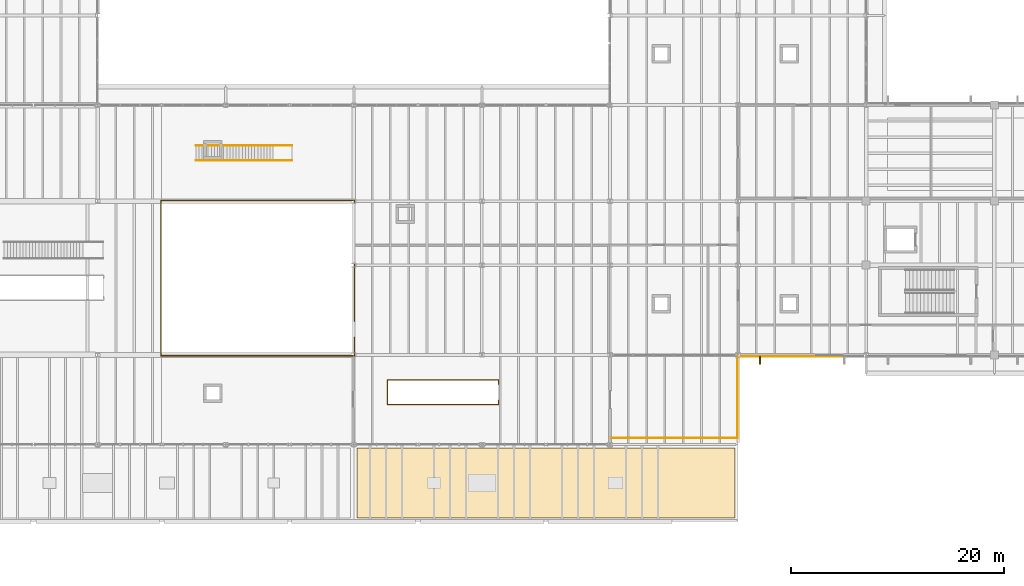
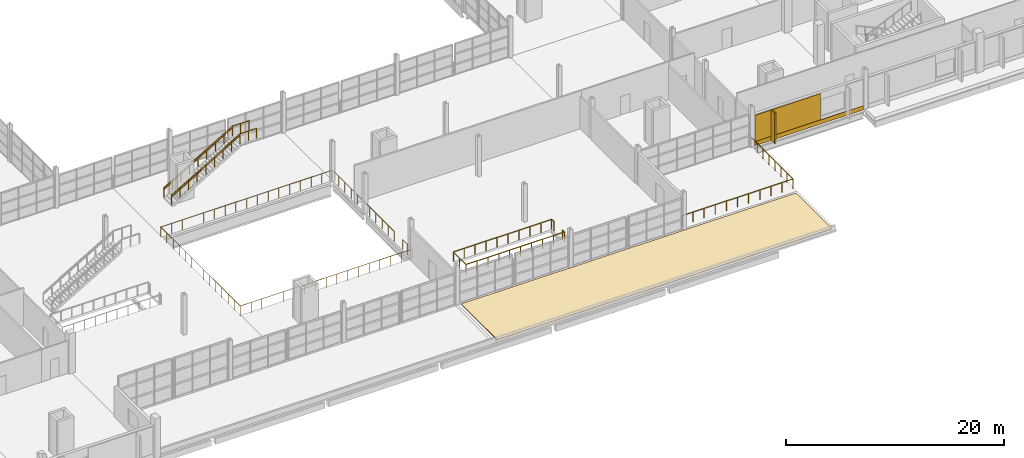
# One storey, part 103 of 114: 7 railings, 4 coverings, 1 shading device.
"""IFC4 building model written with IfcOpenShell, lengths in metres."""

from ifc_helpers import new_model, si_unit, direction, frame, origin, origin_2d, place, context, subcontext, project, spatial, polyline, rectangle, circle, outline, extrude, material, layer, layer_set, type_object, element, save


model = new_model("IFC4")

# Units and contexts
model_context = context("Model", 3, precision=1e-05, world=origin(), true_north=direction((0.0, 1.0)))
body_context = subcontext(model_context, "Body", "Model", "MODEL_VIEW")
ifc_project = project(units=[si_unit("LENGTHUNIT", "METRE"), si_unit("AREAUNIT", "SQUARE_METRE"), si_unit("VOLUMEUNIT", "CUBIC_METRE"), si_unit("PLANEANGLEUNIT", "RADIAN"), si_unit("MASSUNIT", "GRAM", prefix="KILO")], contexts=[model_context])

# Site, building, storey
site_placement = place(None, origin())
site = spatial("IfcSite", under=ifc_project, at=site_placement, CompositionType="ELEMENT")
building_placement = place(site_placement, origin())
building = spatial("IfcBuilding", under=site, at=building_placement, Name="Kelmvaro Bay Concert Hall", CompositionType="ELEMENT")
storey_placement = place(building_placement, frame((0.0, 0.0, 4.800048828125)))
storey = spatial("IfcBuildingStorey", under=building, at=storey_placement, Name="L01", CompositionType="ELEMENT", Elevation=4.800048828125)

# Railing
ifc_material_1 = material(Name="Architectural Bronze and Laminated Glass", Category="glass")
railing_type_1 = type_object("IfcRailingType", Name="Auditorium Balcony Acoustic Brass Guard 1120", PredefinedType="BALUSTRADE", material=ifc_material_1)
railing_1_placement = place(storey_placement, frame((84.080078125, 18.739990234375, 0.0)))
element("IfcRailing", 1, at=railing_1_placement, inside=storey, type_object=railing_type_1, Name="L01 Balcony Guard 018", PredefinedType="BALUSTRADE", context=body_context, shape_type="SweptSolid", body=[
    extrude(circle(Radius=0.02392578125, at=origin_2d()), frame((0.0, 0.0, 1.09619140625), z_axis=(0.0, 1.0, 0.0), x_axis=(-1.0, 0.0, 0.0)), (0.0, 0.0, 1.0), 11.340087890625),
    extrude(circle(Radius=0.02392578125, at=origin_2d()), frame((0.0, 11.340087890625, 1.09619140625), z_axis=(-1.0, 0.0, 0.0), x_axis=(0.0, -1.0, 0.0)), (0.0, 0.0, 1.0), 18.16015625),
    extrude(circle(Radius=0.02392578125, at=origin_2d()), frame((-18.16015625, 11.340087890625, 1.09619140625), z_axis=(0.0, -1.0, 0.0), x_axis=(1.0, 0.0, 0.0)), (0.0, 0.0, 1.0), 14.56005859375),
    extrude(circle(Radius=0.02392578125, at=origin_2d()), frame((-18.16015625, -3.219970703125, 1.09619140625), z_axis=(1.0, 0.0, 0.0), x_axis=(0.0, 1.0, 0.0)), (0.0, 0.0, 1.0), 18.16015625),
    extrude(circle(Radius=0.02392578125, at=origin_2d()), frame((0.0, -3.219970703125, 1.09619140625), z_axis=(0.0, 1.0, 0.0), x_axis=(-1.0, 0.0, 0.0)), (0.0, 0.0, 1.0), 1.739990234375),
    extrude(circle(Radius=0.02099609375, at=origin_2d()), origin(), (0.0, 0.0, 1.0), 1.072021484375),
    extrude(circle(Radius=0.02099609375, at=origin_2d()), frame((0.0, 1.134033203125, 0.0)), (0.0, 0.0, 1.0), 1.072021484375),
    extrude(circle(Radius=0.02099609375, at=origin_2d()), frame((0.0, 2.26806640625, 0.0)), (0.0, 0.0, 1.0), 1.072021484375),
    extrude(circle(Radius=0.02099609375, at=origin_2d()), frame((0.0, 3.402099609375, 0.0)), (0.0, 0.0, 1.0), 1.072021484375),
    extrude(circle(Radius=0.02099609375, at=origin_2d()), frame((0.0, 4.5361328125, 0.0)), (0.0, 0.0, 1.0), 1.072021484375),
    extrude(circle(Radius=0.02099609375, at=origin_2d()), frame((0.0, 5.669921875, 0.0)), (0.0, 0.0, 1.0), 1.072021484375),
    extrude(circle(Radius=0.02099609375, at=origin_2d()), frame((0.0, 6.803955078125, 0.0)), (0.0, 0.0, 1.0), 1.072021484375),
    extrude(circle(Radius=0.02099609375, at=origin_2d()), frame((0.0, 7.93798828125, 0.0)), (0.0, 0.0, 1.0), 1.072021484375),
    extrude(circle(Radius=0.02099609375, at=origin_2d()), frame((0.0, 9.072021484375, 0.0)), (0.0, 0.0, 1.0), 1.072021484375),
    extrude(circle(Radius=0.02099609375, at=origin_2d()), frame((0.0, 10.2060546875, 0.0)), (0.0, 0.0, 1.0), 1.072021484375),
    extrude(circle(Radius=0.02099609375, at=origin_2d()), frame((0.0, 11.340087890625, 0.0)), (0.0, 0.0, 1.0), 1.072021484375),
    extrude(circle(Radius=0.02099609375, at=origin_2d()), frame((-1.135009765625, 11.340087890625, 0.0)), (0.0, 0.0, 1.0), 1.072021484375),
    extrude(circle(Radius=0.02099609375, at=origin_2d()), frame((-2.27001953125, 11.340087890625, 0.0)), (0.0, 0.0, 1.0), 1.072021484375),
    extrude(circle(Radius=0.02099609375, at=origin_2d()), frame((-3.405029296875, 11.340087890625, 0.0)), (0.0, 0.0, 1.0), 1.072021484375),
    extrude(circle(Radius=0.02099609375, at=origin_2d()), frame((-4.5400390625, 11.340087890625, 0.0)), (0.0, 0.0, 1.0), 1.072021484375),
    extrude(circle(Radius=0.02099609375, at=origin_2d()), frame((-5.675048828125, 11.340087890625, 0.0)), (0.0, 0.0, 1.0), 1.072021484375),
    extrude(circle(Radius=0.02099609375, at=origin_2d()), frame((-6.81005859375, 11.340087890625, 0.0)), (0.0, 0.0, 1.0), 1.072021484375),
    extrude(circle(Radius=0.02099609375, at=origin_2d()), frame((-7.945068359375, 11.340087890625, 0.0)), (0.0, 0.0, 1.0), 1.072021484375),
    extrude(circle(Radius=0.02099609375, at=origin_2d()), frame((-9.080078125, 11.340087890625, 0.0)), (0.0, 0.0, 1.0), 1.072021484375),
    extrude(circle(Radius=0.02099609375, at=origin_2d()), frame((-10.215087890625, 11.340087890625, 0.0)), (0.0, 0.0, 1.0), 1.072021484375),
    extrude(circle(Radius=0.02099609375, at=origin_2d()), frame((-11.35009765625, 11.340087890625, 0.0)), (0.0, 0.0, 1.0), 1.072021484375),
    extrude(circle(Radius=0.02099609375, at=origin_2d()), frame((-12.485107421875, 11.340087890625, 0.0)), (0.0, 0.0, 1.0), 1.072021484375),
    extrude(circle(Radius=0.02099609375, at=origin_2d()), frame((-13.6201171875, 11.340087890625, 0.0)), (0.0, 0.0, 1.0), 1.072021484375),
    extrude(circle(Radius=0.02099609375, at=origin_2d()), frame((-14.755126953125, 11.340087890625, 0.0)), (0.0, 0.0, 1.0), 1.072021484375),
    extrude(circle(Radius=0.02099609375, at=origin_2d()), frame((-15.89013671875, 11.340087890625, 0.0)), (0.0, 0.0, 1.0), 1.072021484375),
    extrude(circle(Radius=0.02099609375, at=origin_2d()), frame((-17.025146484375, 11.340087890625, 0.0)), (0.0, 0.0, 1.0), 1.072021484375),
    extrude(circle(Radius=0.02099609375, at=origin_2d()), frame((-18.16015625, 11.340087890625, 0.0)), (0.0, 0.0, 1.0), 1.072021484375),
    extrude(circle(Radius=0.02099609375, at=origin_2d()), frame((-18.16015625, 10.219970703125, 0.0)), (0.0, 0.0, 1.0), 1.072021484375),
    extrude(circle(Radius=0.02099609375, at=origin_2d()), frame((-18.16015625, 9.10009765625, 0.0)), (0.0, 0.0, 1.0), 1.072021484375),
    extrude(circle(Radius=0.02099609375, at=origin_2d()), frame((-18.16015625, 7.97998046875, 0.0)), (0.0, 0.0, 1.0), 1.072021484375),
    extrude(circle(Radius=0.02099609375, at=origin_2d()), frame((-18.16015625, 6.860107421875, 0.0)), (0.0, 0.0, 1.0), 1.072021484375),
    extrude(circle(Radius=0.02099609375, at=origin_2d()), frame((-18.16015625, 5.739990234375, 0.0)), (0.0, 0.0, 1.0), 1.072021484375),
    extrude(circle(Radius=0.02099609375, at=origin_2d()), frame((-18.16015625, 4.6201171875, 0.0)), (0.0, 0.0, 1.0), 1.072021484375),
    extrude(circle(Radius=0.02099609375, at=origin_2d()), frame((-18.16015625, 3.5, 0.0)), (0.0, 0.0, 1.0), 1.072021484375),
    extrude(circle(Radius=0.02099609375, at=origin_2d()), frame((-18.16015625, 2.380126953125, 0.0)), (0.0, 0.0, 1.0), 1.072021484375),
    extrude(circle(Radius=0.02099609375, at=origin_2d()), frame((-18.16015625, 1.260009765625, 0.0)), (0.0, 0.0, 1.0), 1.072021484375),
    extrude(circle(Radius=0.02099609375, at=origin_2d()), frame((-18.16015625, 0.14013671875, 0.0)), (0.0, 0.0, 1.0), 1.072021484375),
    extrude(circle(Radius=0.02099609375, at=origin_2d()), frame((-18.16015625, -0.97998046875, 0.0)), (0.0, 0.0, 1.0), 1.072021484375),
    extrude(circle(Radius=0.02099609375, at=origin_2d()), frame((-18.16015625, -2.099853515625, 0.0)), (0.0, 0.0, 1.0), 1.072021484375),
    extrude(circle(Radius=0.02099609375, at=origin_2d()), frame((-18.16015625, -3.219970703125, 0.0)), (0.0, 0.0, 1.0), 1.072021484375),
    extrude(circle(Radius=0.02099609375, at=origin_2d()), frame((-17.025146484375, -3.219970703125, 0.0)), (0.0, 0.0, 1.0), 1.072021484375),
    extrude(circle(Radius=0.02099609375, at=origin_2d()), frame((-15.89013671875, -3.219970703125, 0.0)), (0.0, 0.0, 1.0), 1.072021484375),
    extrude(circle(Radius=0.02099609375, at=origin_2d()), frame((-14.755126953125, -3.219970703125, 0.0)), (0.0, 0.0, 1.0), 1.072021484375),
    extrude(circle(Radius=0.02099609375, at=origin_2d()), frame((-13.6201171875, -3.219970703125, 0.0)), (0.0, 0.0, 1.0), 1.072021484375),
    extrude(circle(Radius=0.02099609375, at=origin_2d()), frame((-12.485107421875, -3.219970703125, 0.0)), (0.0, 0.0, 1.0), 1.072021484375),
    extrude(circle(Radius=0.02099609375, at=origin_2d()), frame((-11.35009765625, -3.219970703125, 0.0)), (0.0, 0.0, 1.0), 1.072021484375),
    extrude(circle(Radius=0.02099609375, at=origin_2d()), frame((-10.215087890625, -3.219970703125, 0.0)), (0.0, 0.0, 1.0), 1.072021484375),
    extrude(circle(Radius=0.02099609375, at=origin_2d()), frame((-9.080078125, -3.219970703125, 0.0)), (0.0, 0.0, 1.0), 1.072021484375),
    extrude(circle(Radius=0.02099609375, at=origin_2d()), frame((-7.945068359375, -3.219970703125, 0.0)), (0.0, 0.0, 1.0), 1.072021484375),
    extrude(circle(Radius=0.02099609375, at=origin_2d()), frame((-6.81005859375, -3.219970703125, 0.0)), (0.0, 0.0, 1.0), 1.072021484375),
    extrude(circle(Radius=0.02099609375, at=origin_2d()), frame((-5.675048828125, -3.219970703125, 0.0)), (0.0, 0.0, 1.0), 1.072021484375),
    extrude(circle(Radius=0.02099609375, at=origin_2d()), frame((-4.5400390625, -3.219970703125, 0.0)), (0.0, 0.0, 1.0), 1.072021484375),
    extrude(circle(Radius=0.02099609375, at=origin_2d()), frame((-3.405029296875, -3.219970703125, 0.0)), (0.0, 0.0, 1.0), 1.072021484375),
    extrude(circle(Radius=0.02099609375, at=origin_2d()), frame((-2.27001953125, -3.219970703125, 0.0)), (0.0, 0.0, 1.0), 1.072021484375),
    extrude(circle(Radius=0.02099609375, at=origin_2d()), frame((-1.135009765625, -3.219970703125, 0.0)), (0.0, 0.0, 1.0), 1.072021484375),
    extrude(circle(Radius=0.02099609375, at=origin_2d()), frame((0.0, -3.219970703125, 0.0)), (0.0, 0.0, 1.0), 1.072021484375),
    extrude(circle(Radius=0.02099609375, at=origin_2d()), frame((0.0, -2.35009765625, 0.0)), (0.0, 0.0, 1.0), 1.072021484375),
    extrude(circle(Radius=0.02099609375, at=origin_2d()), frame((0.0, -1.47998046875, 0.0)), (0.0, 0.0, 1.0), 1.072021484375),
])

# Shading device
ifc_material_2 = material(Name="Anodised Extruded Aluminium 6063-T6", Category="aluminium")
ifc_layer_1 = layer(ifc_material_2, 3.39990234375)
ifc_layer_set_1 = layer_set([ifc_layer_1], Name="Anodised Extruded Aluminium 6063-T6")
shading_device_type = type_object("IfcShadingDeviceType", Name="Bauhaus Vertical Solar Brise-Soleil Fin 720x3400", PredefinedType="SHUTTER", material=ifc_layer_set_1)
shading_device_placement = place(storey_placement, frame((122.056396484375, 15.10400390625, 0.0595703125), z_axis=(0.0, 0.0, 1.0), x_axis=(-1.0, 0.0, 0.0)))
element("IfcShadingDevice", 2, at=shading_device_placement, inside=storey, type_object=shading_device_type, Name="L01 Solar Brise-Soleil Fin 131", PredefinedType="SHUTTER", context=body_context, shape_type="SweptSolid", body=[
    extrude(rectangle(XDim=0.159912109375, YDim=0.719970703125, at=origin_2d()), origin(), (0.0, 0.0, 1.0), 3.386962890625),
])

# Coverings
ifc_material_3 = material(Name="PVDF-Coated Architectural Aluminium", Category="aluminium")
ifc_layer_2 = layer(ifc_material_3, 0.0400390625)
ifc_layer_set_2 = layer_set([ifc_layer_2], Name="PVDF-Coated Architectural Aluminium")
covering_type_1 = type_object("IfcCoveringType", Name="De Stijl Enamelled Aluminium Fascia Panel 40", PredefinedType="CLADDING", material=ifc_layer_set_2)
covering_1_placement = place(storey_placement, frame((122.056396484375, 15.10400390625, 0.0595703125), z_axis=(0.0, 0.0, 1.0), x_axis=(-1.0, 0.0, 0.0)))
element("IfcCovering", 3, at=covering_1_placement, inside=storey, type_object=covering_type_1, Name="L01 Architectural Vertical Fin Cladding 0702", PredefinedType="CLADDING", context=body_context, shape_type="SweptSolid", body=[
    extrude(rectangle(XDim=0.139892578125, YDim=0.699951171875, at=origin_2d()), origin(), (0.0, 0.0, 1.0), 3.386962890625),
])
ifc_material_4 = material(Name="Honed Florida Limestone Travertine", Category="masonry")
ifc_layer_3 = layer(ifc_material_4, 0.054931640625)
ifc_layer_set_3 = layer_set([ifc_layer_3], Name="Honed Florida Limestone Travertine")
covering_type_2 = type_object("IfcCoveringType", Name="Honed Florida Travertine Rainscreen Cladding 55", PredefinedType="CLADDING", material=ifc_layer_set_3)
covering_2_placement = place(storey_placement, frame((126.0, 15.4345703125, 0.0400390625), z_axis=(0.0, 0.0, 1.0), x_axis=(-1.0, 0.0, 0.0)))
element("IfcCovering", 4, at=covering_2_placement, inside=storey, type_object=covering_type_2, Name="L01 Travertine Sill Band 0700", PredefinedType="CLADDING", context=body_context, shape_type="SweptSolid", body=[
    extrude(rectangle(XDim=11.47900390625, YDim=0.054931640625, at=origin_2d()), origin(), (0.0, 0.0, 1.0), 0.4599609375),
])
covering_3_placement = place(storey_placement, frame((123.7412109375, 15.4345703125, 0.52001953125), z_axis=(0.0, 0.0, 1.0), x_axis=(-1.0, 0.0, 0.0)))
element("IfcCovering", 5, at=covering_3_placement, inside=storey, type_object=covering_type_2, Name="L01 Travertine Pier Panel 0704", PredefinedType="CLADDING", context=body_context, shape_type="SweptSolid", body=[
    extrude(rectangle(XDim=6.9208984375, YDim=0.054931640625, at=origin_2d()), origin(), (0.0, 0.0, 1.0), 2.927001953125),
])
ifc_material_5 = material(Name="White Reflective SBS Roofing Membrane")
ifc_layer_4 = layer(ifc_material_5, 0.06494140625)
ifc_layer_set_4 = layer_set([ifc_layer_4], Name="White Reflective SBS Roofing Membrane")
covering_type_3 = type_object("IfcCoveringType", Name="SBS Modified Bitumen Cool Roof Membrane 65", PredefinedType="ROOFING", material=ifc_layer_set_4)
covering_4_placement = place(storey_placement, frame((0.0, 0.0, 0.06005859375)))
element("IfcCovering", 6, at=covering_4_placement, inside=storey, type_object=covering_type_3, Name="L01 Cool Roof Membrane 08", PredefinedType="ROOFING", context=body_context, shape_type="SweptSolid", body=[
    extrude(outline(polyline([(84.300048828125, 0.300048828125), (119.699951171875, 0.300048828125), (119.699951171875, 6.89990234375), (84.300048828125, 6.89990234375), (84.300048828125, 0.300048828125)])), origin(), (0.0, 0.0, 1.0), 0.06494140625),
])

# Railings
ifc_material_6 = material(Name="Brushed Stainless Steel 316", Category="steel")
railing_type_2 = type_object("IfcRailingType", Name="Stair Stainless Wall Handrail 900", PredefinedType="HANDRAIL", material=ifc_material_6)
for number, where, name in (
    (7, (69.199951171875, 33.800048828125, 0.173095703125), "L01 FS-05 Handrail R"),
    (8, (69.199951171875, 35.199951171875, 0.173095703125), "L01 FS-05 Handrail L"),
):
    element("IfcRailing", number, at=place(storey_placement, frame(where)), inside=storey, type_object=railing_type_2, Name=name, PredefinedType="HANDRAIL", context=body_context, shape_type="SweptSolid", body=[
        extrude(circle(Radius=0.02392578125, at=origin_2d()), frame((0.0, 0.0, 0.8759765625), z_axis=(0.858697395518, 0.0, 0.512482958673), x_axis=(0.0, 1.0, 0.0)), (0.0, 0.0, 1.0), 8.443115234375),
        extrude(circle(Radius=0.02099609375, at=origin_2d()), origin(), (0.0, 0.0, 1.0), 0.851806640625),
        extrude(circle(Radius=0.02099609375, at=origin_2d()), frame((0.90625, 0.0, 0.540771484375)), (0.0, 0.0, 1.0), 0.851806640625),
        extrude(circle(Radius=0.02099609375, at=origin_2d()), frame((1.8125, 0.0, 1.081787109375)), (0.0, 0.0, 1.0), 0.851806640625),
        extrude(circle(Radius=0.02099609375, at=origin_2d()), frame((2.71875, 0.0, 1.62255859375)), (0.0, 0.0, 1.0), 0.851806640625),
        extrude(circle(Radius=0.02099609375, at=origin_2d()), frame((3.625, 0.0, 2.16357421875)), (0.0, 0.0, 1.0), 0.851806640625),
        extrude(circle(Radius=0.02099609375, at=origin_2d()), frame((4.53125, 0.0, 2.704345703125)), (0.0, 0.0, 1.0), 0.851806640625),
        extrude(circle(Radius=0.02099609375, at=origin_2d()), frame((5.4375, 0.0, 3.2451171875)), (0.0, 0.0, 1.0), 0.851806640625),
        extrude(circle(Radius=0.02099609375, at=origin_2d()), frame((6.34375, 0.0, 3.7861328125)), (0.0, 0.0, 1.0), 0.851806640625),
        extrude(circle(Radius=0.02099609375, at=origin_2d()), frame((7.25, 0.0, 4.326904296875)), (0.0, 0.0, 1.0), 0.851806640625),
    ])
ifc_material_7 = material(Name="Powder-Coated Steel ASTM A500", Category="steel")
railing_type_3 = type_object("IfcRailingType", Name="Stair Well Painted Steel Guard 1100", PredefinedType="BALUSTRADE", material=ifc_material_7)
for number, where, name in (
    (9, (69.199951171875, 33.800048828125, 0.173095703125), "L01 FS-05 Flight and Landing Guard R"),
    (10, (69.199951171875, 35.199951171875, 0.173095703125), "L01 FS-05 Flight and Landing Guard L"),
):
    element("IfcRailing", number, at=place(storey_placement, frame(where)), inside=storey, type_object=railing_type_3, Name=name, PredefinedType="BALUSTRADE", context=body_context, shape_type="SweptSolid", body=[
        extrude(circle(Radius=0.02392578125, at=origin_2d()), frame((0.0, 0.0, 1.076171875), z_axis=(0.858697395518, 0.0, 0.512482958673), x_axis=(0.0, 1.0, 0.0)), (0.0, 0.0, 1.0), 8.443115234375),
        extrude(circle(Radius=0.02392578125, at=origin_2d()), frame((7.25, 0.0, 5.40283203125), z_axis=(1.0, 0.0, 0.0), x_axis=(0.0, 1.0, 0.0)), (0.0, 0.0, 1.0), 1.75),
        extrude(circle(Radius=0.02099609375, at=origin_2d()), origin(), (0.0, 0.0, 1.0), 1.052001953125),
        extrude(circle(Radius=0.02099609375, at=origin_2d()), frame((0.90625, 0.0, 0.540771484375)), (0.0, 0.0, 1.0), 1.052001953125),
        extrude(circle(Radius=0.02099609375, at=origin_2d()), frame((1.8125, 0.0, 1.081787109375)), (0.0, 0.0, 1.0), 1.052001953125),
        extrude(circle(Radius=0.02099609375, at=origin_2d()), frame((2.71875, 0.0, 1.62255859375)), (0.0, 0.0, 1.0), 1.052001953125),
        extrude(circle(Radius=0.02099609375, at=origin_2d()), frame((3.625, 0.0, 2.16357421875)), (0.0, 0.0, 1.0), 1.052001953125),
        extrude(circle(Radius=0.02099609375, at=origin_2d()), frame((4.53125, 0.0, 2.704345703125)), (0.0, 0.0, 1.0), 1.052001953125),
        extrude(circle(Radius=0.02099609375, at=origin_2d()), frame((5.4375, 0.0, 3.2451171875)), (0.0, 0.0, 1.0), 1.052001953125),
        extrude(circle(Radius=0.02099609375, at=origin_2d()), frame((6.34375, 0.0, 3.7861328125)), (0.0, 0.0, 1.0), 1.052001953125),
        extrude(circle(Radius=0.02099609375, at=origin_2d()), frame((7.25, 0.0, 4.326904296875)), (0.0, 0.0, 1.0), 1.052001953125),
        extrude(circle(Radius=0.02099609375, at=origin_2d()), frame((8.125, 0.0, 4.326904296875)), (0.0, 0.0, 1.0), 1.052001953125),
        extrude(circle(Radius=0.02099609375, at=origin_2d()), frame((9.0, 0.0, 4.326904296875)), (0.0, 0.0, 1.0), 1.052001953125),
    ])
railing_2_placement = place(storey_placement, frame((97.5400390625, 11.320068359375, 0.0)))
element("IfcRailing", 11, at=railing_2_placement, inside=storey, type_object=railing_type_3, Name="L01 Feature Stair FS-03 Well Guard", PredefinedType="BALUSTRADE", context=body_context, shape_type="SweptSolid", body=[
    extrude(circle(Radius=0.02392578125, at=origin_2d()), frame((0.0, 0.0, 1.076171875), z_axis=(0.0, -1.0, 0.0), x_axis=(1.0, 0.0, 0.0)), (0.0, 0.0, 1.0), 0.380126953125),
    extrude(circle(Radius=0.02392578125, at=origin_2d()), frame((0.0, -0.380126953125, 1.076171875), z_axis=(-1.0, 0.0, 0.0), x_axis=(0.0, -1.0, 0.0)), (0.0, 0.0, 1.0), 10.400146484375),
    extrude(circle(Radius=0.02392578125, at=origin_2d()), frame((-10.400146484375, -0.380126953125, 1.076171875), z_axis=(0.0, 1.0, 0.0), x_axis=(-1.0, 0.0, 0.0)), (0.0, 0.0, 1.0), 2.320068359375),
    extrude(circle(Radius=0.02392578125, at=origin_2d()), frame((-10.400146484375, 1.93994140625, 1.076171875), z_axis=(1.0, 0.0, 0.0), x_axis=(0.0, 1.0, 0.0)), (0.0, 0.0, 1.0), 10.400146484375),
    extrude(circle(Radius=0.02392578125, at=origin_2d()), frame((0.0, 1.93994140625, 1.076171875), z_axis=(0.0, -1.0, 0.0), x_axis=(1.0, 0.0, 0.0)), (0.0, 0.0, 1.0), 0.380126953125),
    extrude(circle(Radius=0.02099609375, at=origin_2d()), origin(), (0.0, 0.0, 1.0), 1.052001953125),
    extrude(circle(Radius=0.02099609375, at=origin_2d()), frame((0.0, -0.380126953125, 0.0)), (0.0, 0.0, 1.0), 1.052001953125),
    extrude(circle(Radius=0.02099609375, at=origin_2d()), frame((-1.155517578125, -0.380126953125, 0.0)), (0.0, 0.0, 1.0), 1.052001953125),
    extrude(circle(Radius=0.02099609375, at=origin_2d()), frame((-2.31103515625, -0.380126953125, 0.0)), (0.0, 0.0, 1.0), 1.052001953125),
    extrude(circle(Radius=0.02099609375, at=origin_2d()), frame((-3.466796875, -0.380126953125, 0.0)), (0.0, 0.0, 1.0), 1.052001953125),
    extrude(circle(Radius=0.02099609375, at=origin_2d()), frame((-4.622314453125, -0.380126953125, 0.0)), (0.0, 0.0, 1.0), 1.052001953125),
    extrude(circle(Radius=0.02099609375, at=origin_2d()), frame((-5.77783203125, -0.380126953125, 0.0)), (0.0, 0.0, 1.0), 1.052001953125),
    extrude(circle(Radius=0.02099609375, at=origin_2d()), frame((-6.933349609375, -0.380126953125, 0.0)), (0.0, 0.0, 1.0), 1.052001953125),
    extrude(circle(Radius=0.02099609375, at=origin_2d()), frame((-8.089111328125, -0.380126953125, 0.0)), (0.0, 0.0, 1.0), 1.052001953125),
    extrude(circle(Radius=0.02099609375, at=origin_2d()), frame((-9.24462890625, -0.380126953125, 0.0)), (0.0, 0.0, 1.0), 1.052001953125),
    extrude(circle(Radius=0.02099609375, at=origin_2d()), frame((-10.400146484375, -0.380126953125, 0.0)), (0.0, 0.0, 1.0), 1.052001953125),
    extrude(circle(Radius=0.02099609375, at=origin_2d()), frame((-10.400146484375, 0.77978515625, 0.0)), (0.0, 0.0, 1.0), 1.052001953125),
    extrude(circle(Radius=0.02099609375, at=origin_2d()), frame((-10.400146484375, 1.93994140625, 0.0)), (0.0, 0.0, 1.0), 1.052001953125),
    extrude(circle(Radius=0.02099609375, at=origin_2d()), frame((-9.24462890625, 1.93994140625, 0.0)), (0.0, 0.0, 1.0), 1.052001953125),
    extrude(circle(Radius=0.02099609375, at=origin_2d()), frame((-8.089111328125, 1.93994140625, 0.0)), (0.0, 0.0, 1.0), 1.052001953125),
    extrude(circle(Radius=0.02099609375, at=origin_2d()), frame((-6.933349609375, 1.93994140625, 0.0)), (0.0, 0.0, 1.0), 1.052001953125),
    extrude(circle(Radius=0.02099609375, at=origin_2d()), frame((-5.77783203125, 1.93994140625, 0.0)), (0.0, 0.0, 1.0), 1.052001953125),
    extrude(circle(Radius=0.02099609375, at=origin_2d()), frame((-4.622314453125, 1.93994140625, 0.0)), (0.0, 0.0, 1.0), 1.052001953125),
    extrude(circle(Radius=0.02099609375, at=origin_2d()), frame((-3.466796875, 1.93994140625, 0.0)), (0.0, 0.0, 1.0), 1.052001953125),
    extrude(circle(Radius=0.02099609375, at=origin_2d()), frame((-2.31103515625, 1.93994140625, 0.0)), (0.0, 0.0, 1.0), 1.052001953125),
    extrude(circle(Radius=0.02099609375, at=origin_2d()), frame((-1.155517578125, 1.93994140625, 0.0)), (0.0, 0.0, 1.0), 1.052001953125),
    extrude(circle(Radius=0.02099609375, at=origin_2d()), frame((0.0, 1.93994140625, 0.0)), (0.0, 0.0, 1.0), 1.052001953125),
    extrude(circle(Radius=0.02099609375, at=origin_2d()), frame((0.0, 1.559814453125, 0.0)), (0.0, 0.0, 1.0), 1.052001953125),
])
ifc_material_8 = material(Name="Stainless Steel 316 and Laminated Glass", Category="steel")
railing_type_4 = type_object("IfcRailingType", Name="Waterfront Terrace Laminated Glass Guard 1100", PredefinedType="BALUSTRADE", material=ifc_material_8)
railing_3_placement = place(storey_placement, frame((108.14990234375, 7.800048828125, 0.0)))
element("IfcRailing", 12, at=railing_3_placement, inside=storey, type_object=railing_type_4, Name="L01 Terrace Guard 003", PredefinedType="BALUSTRADE", context=body_context, shape_type="SweptSolid", body=[
    extrude(circle(Radius=0.02392578125, at=origin_2d()), frame((0.0, 0.0, 1.076171875), z_axis=(1.0, 0.0, 0.0), x_axis=(0.0, 1.0, 0.0)), (0.0, 0.0, 1.0), 11.77001953125),
    extrude(circle(Radius=0.02392578125, at=origin_2d()), frame((11.77001953125, 0.0, 1.076171875), z_axis=(0.0, 1.0, 0.0), x_axis=(-1.0, 0.0, 0.0)), (0.0, 0.0, 1.0), 7.679931640625),
    extrude(circle(Radius=0.02099609375, at=origin_2d()), origin(), (0.0, 0.0, 1.0), 1.052001953125),
    extrude(circle(Radius=0.02099609375, at=origin_2d()), frame((1.177001953125, 0.0, 0.0)), (0.0, 0.0, 1.0), 1.052001953125),
    extrude(circle(Radius=0.02099609375, at=origin_2d()), frame((2.35400390625, 0.0, 0.0)), (0.0, 0.0, 1.0), 1.052001953125),
    extrude(circle(Radius=0.02099609375, at=origin_2d()), frame((3.531005859375, 0.0, 0.0)), (0.0, 0.0, 1.0), 1.052001953125),
    extrude(circle(Radius=0.02099609375, at=origin_2d()), frame((4.7080078125, 0.0, 0.0)), (0.0, 0.0, 1.0), 1.052001953125),
    extrude(circle(Radius=0.02099609375, at=origin_2d()), frame((5.885009765625, 0.0, 0.0)), (0.0, 0.0, 1.0), 1.052001953125),
    extrude(circle(Radius=0.02099609375, at=origin_2d()), frame((7.06201171875, 0.0, 0.0)), (0.0, 0.0, 1.0), 1.052001953125),
    extrude(circle(Radius=0.02099609375, at=origin_2d()), frame((8.239013671875, 0.0, 0.0)), (0.0, 0.0, 1.0), 1.052001953125),
    extrude(circle(Radius=0.02099609375, at=origin_2d()), frame((9.416015625, 0.0, 0.0)), (0.0, 0.0, 1.0), 1.052001953125),
    extrude(circle(Radius=0.02099609375, at=origin_2d()), frame((10.593017578125, 0.0, 0.0)), (0.0, 0.0, 1.0), 1.052001953125),
    extrude(circle(Radius=0.02099609375, at=origin_2d()), frame((11.77001953125, 0.0, 0.0)), (0.0, 0.0, 1.0), 1.052001953125),
    extrude(circle(Radius=0.02099609375, at=origin_2d()), frame((11.77001953125, 1.09716796875, 0.0)), (0.0, 0.0, 1.0), 1.052001953125),
    extrude(circle(Radius=0.02099609375, at=origin_2d()), frame((11.77001953125, 2.1943359375, 0.0)), (0.0, 0.0, 1.0), 1.052001953125),
    extrude(circle(Radius=0.02099609375, at=origin_2d()), frame((11.77001953125, 3.29150390625, 0.0)), (0.0, 0.0, 1.0), 1.052001953125),
    extrude(circle(Radius=0.02099609375, at=origin_2d()), frame((11.77001953125, 4.388427734375, 0.0)), (0.0, 0.0, 1.0), 1.052001953125),
    extrude(circle(Radius=0.02099609375, at=origin_2d()), frame((11.77001953125, 5.485595703125, 0.0)), (0.0, 0.0, 1.0), 1.052001953125),
    extrude(circle(Radius=0.02099609375, at=origin_2d()), frame((11.77001953125, 6.582763671875, 0.0)), (0.0, 0.0, 1.0), 1.052001953125),
    extrude(circle(Radius=0.02099609375, at=origin_2d()), frame((11.77001953125, 7.679931640625, 0.0)), (0.0, 0.0, 1.0), 1.052001953125),
])

save(model, "model.ifc")
